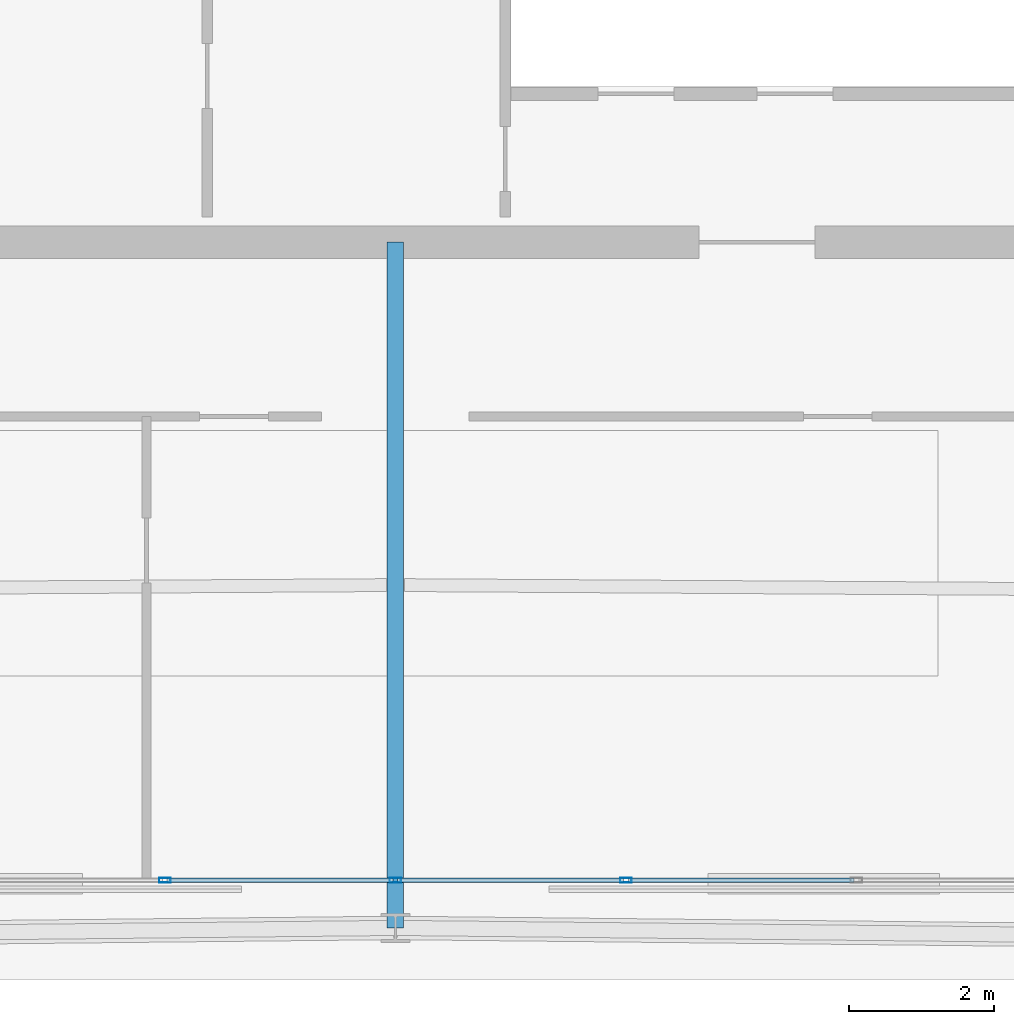
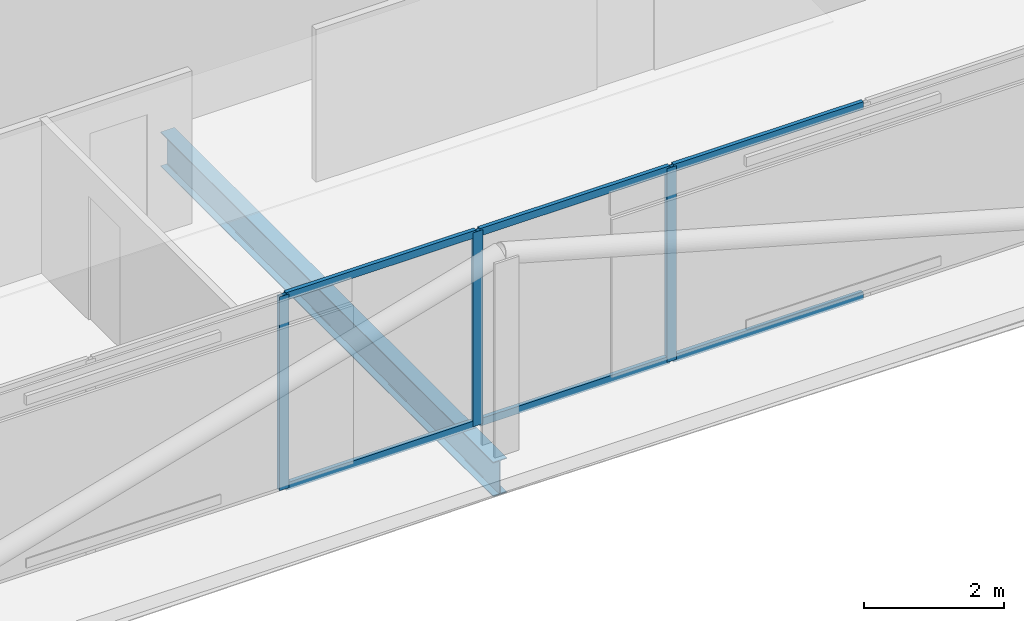
# One storey, part 7 of 26: 9 members, 1 beam, 1 element without a shape of its own.
"""IFC4 building model written with IfcOpenShell, lengths in metres."""

from ifc_helpers import new_model, si_unit, direction, frame, origin, origin_2d, place, context, subcontext, project, spatial, hollow_rectangle, i_section, extrude, material, layer, layer_set, material_profile, profile_set, type_object, element, aggregate, save


model = new_model("IFC4")

# Units and contexts
model_context = context("Model", 3, precision=1e-05, world=origin(), true_north=direction((0.0, 1.0)))
body_context = subcontext(model_context, "Body", "Model", "MODEL_VIEW")
ifc_project = project(units=[si_unit("LENGTHUNIT", "METRE"), si_unit("AREAUNIT", "SQUARE_METRE"), si_unit("VOLUMEUNIT", "CUBIC_METRE"), si_unit("PLANEANGLEUNIT", "RADIAN"), si_unit("MASSUNIT", "GRAM", prefix="KILO")], contexts=[model_context])

# Site, building, storey
site_placement = place(None, origin())
site = spatial("IfcSite", under=ifc_project, at=site_placement, CompositionType="ELEMENT")
building_placement = place(site_placement, origin())
building = spatial("IfcBuilding", under=site, at=building_placement, Name="Caelvoria Tower", CompositionType="ELEMENT")
storey_placement = place(building_placement, frame((0.0, 0.0, 239.39990234375)))
storey = spatial("IfcBuildingStorey", under=building, at=storey_placement, Name="L63", CompositionType="ELEMENT", Elevation=239.39990234375)

# Curtain wall, members
ifc_material_1 = material(Name="Anodised Bronze Aluminium and Low-E Glass", Category="aluminium")
ifc_layer = layer(ifc_material_1, 0.175048828125, Name="Anodised Bronze Aluminium and Low-E Glass")
ifc_layer_set = layer_set([ifc_layer], Name="CW System 4 High-Zone Tapered Crystal Facade - Anodised Bronze Aluminium and Low-E Glass")
curtain_wall_type = type_object("IfcCurtainWallType", Name="CW System 4 High-Zone Tapered Crystal Facade", PredefinedType="NOTDEFINED", material=ifc_layer_set)
curtain_wall_placement = place(storey_placement, origin())
curtain_wall = element("IfcCurtainWall", 1, at=curtain_wall_placement, inside=storey, type_object=curtain_wall_type, Name="CW-04 Curtain Wall L63-E0", PredefinedType="NOTDEFINED")
ifc_material_2 = material(Name="Anodised Bronze Architectural Aluminium", Category="aluminium")
ifc_material_profile_1 = material_profile(ifc_material_2, hollow_rectangle(XDim=0.06494140625, YDim=0.159912109375, WallThickness=0.00390625, at=origin_2d()), Name="Anodised Bronze Architectural Aluminium")
ifc_profile_set_1 = profile_set([ifc_material_profile_1], Name="CW_MULL_65X160 - Anodised Bronze Architectural Aluminium")
member_type_1 = type_object("IfcMemberType", Name="Curtain Wall Mullion 65x160 Bronze Aluminium", PredefinedType="MULLION", material=ifc_profile_set_1)
member_1_placement = place(storey_placement, frame((42.8125, 15.179931640625, 0.0), z_axis=(0.0, 0.0, 1.0), x_axis=(0.0, 1.0, 0.0)))
member_1 = element("IfcMember", 2, at=member_1_placement, type_object=member_type_1, Name="CW-04 mullion 4", PredefinedType="MULLION", context=body_context, shape_type="SweptSolid", body=[
    extrude(hollow_rectangle(XDim=0.06494140625, YDim=0.159912109375, WallThickness=0.00390625, at=origin_2d()), origin(), (0.0, 0.0, 1.0), 3.375),
])
member_2_placement = place(storey_placement, frame((46.0, 15.179931640625, 0.0), z_axis=(0.0, 0.0, 1.0), x_axis=(0.0, 1.0, 0.0)))
member_2 = element("IfcMember", 3, at=member_2_placement, type_object=member_type_1, Name="CW-04 mullion 5", PredefinedType="MULLION", context=body_context, shape_type="SweptSolid", body=[
    extrude(hollow_rectangle(XDim=0.06494140625, YDim=0.159912109375, WallThickness=0.00390625, at=origin_2d()), origin(), (0.0, 0.0, 1.0), 3.375),
])
member_3_placement = place(storey_placement, frame((49.1875, 15.179931640625, 0.0), z_axis=(0.0, 0.0, 1.0), x_axis=(0.0, 1.0, 0.0)))
member_3 = element("IfcMember", 4, at=member_3_placement, type_object=member_type_1, Name="CW-04 mullion 6", PredefinedType="MULLION", context=body_context, shape_type="SweptSolid", body=[
    extrude(hollow_rectangle(XDim=0.06494140625, YDim=0.159912109375, WallThickness=0.00390625, at=origin_2d()), origin(), (0.0, 0.0, 1.0), 3.375),
])
ifc_material_profile_2 = material_profile(ifc_material_2, hollow_rectangle(XDim=0.06494140625, YDim=0.1298828125, WallThickness=0.00341796875, at=origin_2d()), Name="Anodised Bronze Architectural Aluminium")
ifc_profile_set_2 = profile_set([ifc_material_profile_2], Name="CW_TRAN_65X130 - Anodised Bronze Architectural Aluminium")
member_type_2 = type_object("IfcMemberType", Name="Curtain Wall Transom 65x130 Bronze Aluminium", PredefinedType="USERDEFINED", material=ifc_profile_set_2)
member_4_placement = place(storey_placement, frame((42.844970703125, 15.179931640625, 0.03271484375), z_axis=(1.0, 0.0, 0.0), x_axis=(0.0, 1.0, 0.0)))
member_4 = element("IfcMember", 5, at=member_4_placement, type_object=member_type_2, Name="CW-04 transom 4.1", ObjectType="TRANSOM", PredefinedType="USERDEFINED", context=body_context, shape_type="SweptSolid", body=[
    extrude(hollow_rectangle(XDim=0.06494140625, YDim=0.1298828125, WallThickness=0.00341796875, at=origin_2d()), origin(), (0.0, 0.0, 1.0), 3.12255859375),
])
member_5_placement = place(storey_placement, frame((42.844970703125, 15.179931640625, 3.342529296875), z_axis=(1.0, 0.0, 0.0), x_axis=(0.0, 1.0, 0.0)))
member_5 = element("IfcMember", 6, at=member_5_placement, type_object=member_type_2, Name="CW-04 transom 4.2", ObjectType="TRANSOM", PredefinedType="USERDEFINED", context=body_context, shape_type="SweptSolid", body=[
    extrude(hollow_rectangle(XDim=0.06494140625, YDim=0.1298828125, WallThickness=0.00341796875, at=origin_2d()), origin(), (0.0, 0.0, 1.0), 3.12255859375),
])
member_6_placement = place(storey_placement, frame((46.032470703125, 15.179931640625, 0.03271484375), z_axis=(1.0, 0.0, 0.0), x_axis=(0.0, 1.0, 0.0)))
member_6 = element("IfcMember", 7, at=member_6_placement, type_object=member_type_2, Name="CW-04 transom 5.1", ObjectType="TRANSOM", PredefinedType="USERDEFINED", context=body_context, shape_type="SweptSolid", body=[
    extrude(hollow_rectangle(XDim=0.06494140625, YDim=0.1298828125, WallThickness=0.00341796875, at=origin_2d()), origin(), (0.0, 0.0, 1.0), 3.12255859375),
])
member_7_placement = place(storey_placement, frame((46.032470703125, 15.179931640625, 3.342529296875), z_axis=(1.0, 0.0, 0.0), x_axis=(0.0, 1.0, 0.0)))
member_7 = element("IfcMember", 8, at=member_7_placement, type_object=member_type_2, Name="CW-04 transom 5.2", ObjectType="TRANSOM", PredefinedType="USERDEFINED", context=body_context, shape_type="SweptSolid", body=[
    extrude(hollow_rectangle(XDim=0.06494140625, YDim=0.1298828125, WallThickness=0.00341796875, at=origin_2d()), origin(), (0.0, 0.0, 1.0), 3.12255859375),
])
member_8_placement = place(storey_placement, frame((49.219970703125, 15.179931640625, 0.03271484375), z_axis=(1.0, 0.0, 0.0), x_axis=(0.0, 1.0, 0.0)))
member_8 = element("IfcMember", 9, at=member_8_placement, type_object=member_type_2, Name="CW-04 transom 6.1", ObjectType="TRANSOM", PredefinedType="USERDEFINED", context=body_context, shape_type="SweptSolid", body=[
    extrude(hollow_rectangle(XDim=0.06494140625, YDim=0.1298828125, WallThickness=0.00341796875, at=origin_2d()), origin(), (0.0, 0.0, 1.0), 3.12255859375),
])
member_9_placement = place(storey_placement, frame((49.219970703125, 15.179931640625, 3.342529296875), z_axis=(1.0, 0.0, 0.0), x_axis=(0.0, 1.0, 0.0)))
member_9 = element("IfcMember", 10, at=member_9_placement, type_object=member_type_2, Name="CW-04 transom 6.2", ObjectType="TRANSOM", PredefinedType="USERDEFINED", context=body_context, shape_type="SweptSolid", body=[
    extrude(hollow_rectangle(XDim=0.06494140625, YDim=0.1298828125, WallThickness=0.00341796875, at=origin_2d()), origin(), (0.0, 0.0, 1.0), 3.12255859375),
])
aggregate(curtain_wall, [member_1, member_2, member_3, member_4, member_5, member_6, member_7, member_8, member_9])

# Beam
ifc_material_3 = material(Name="Structural Steel ASTM A992 Gr.50", Category="steel")
ifc_material_profile_3 = material_profile(ifc_material_3, i_section(OverallWidth=0.22802734375, OverallDepth=0.60302734375, WebThickness=0.010498046875, FlangeThickness=0.014892578125, FilletRadius=0.01806640625, at=origin_2d()), Name="Structural Steel ASTM A992 Gr.50")
ifc_profile_set_3 = profile_set([ifc_material_profile_3], Name="W610X101 - Structural Steel ASTM A992 Gr.50")
beam_type = type_object("IfcBeamType", Name="Primary Floor Girder W610X101", PredefinedType="BEAM", material=ifc_profile_set_3)
beam_placement = place(storey_placement, frame((46.0, 24.0, -0.5263671875), z_axis=(0.0, -1.0, 0.0), x_axis=(1.0, 0.0, 0.0)))
element("IfcBeam", 11, at=beam_placement, inside=storey, type_object=beam_type, Name="Primary Floor Girder L63-01", PredefinedType="BEAM", context=body_context, shape_type="SweptSolid", body=[
    extrude(i_section(OverallWidth=0.22802734375, OverallDepth=0.60302734375, WebThickness=0.010498046875, FlangeThickness=0.014892578125, FilletRadius=0.01806640625, at=origin_2d()), origin(), (0.0, 0.0, 1.0), 9.47998046875),
])

save(model, "model.ifc")
